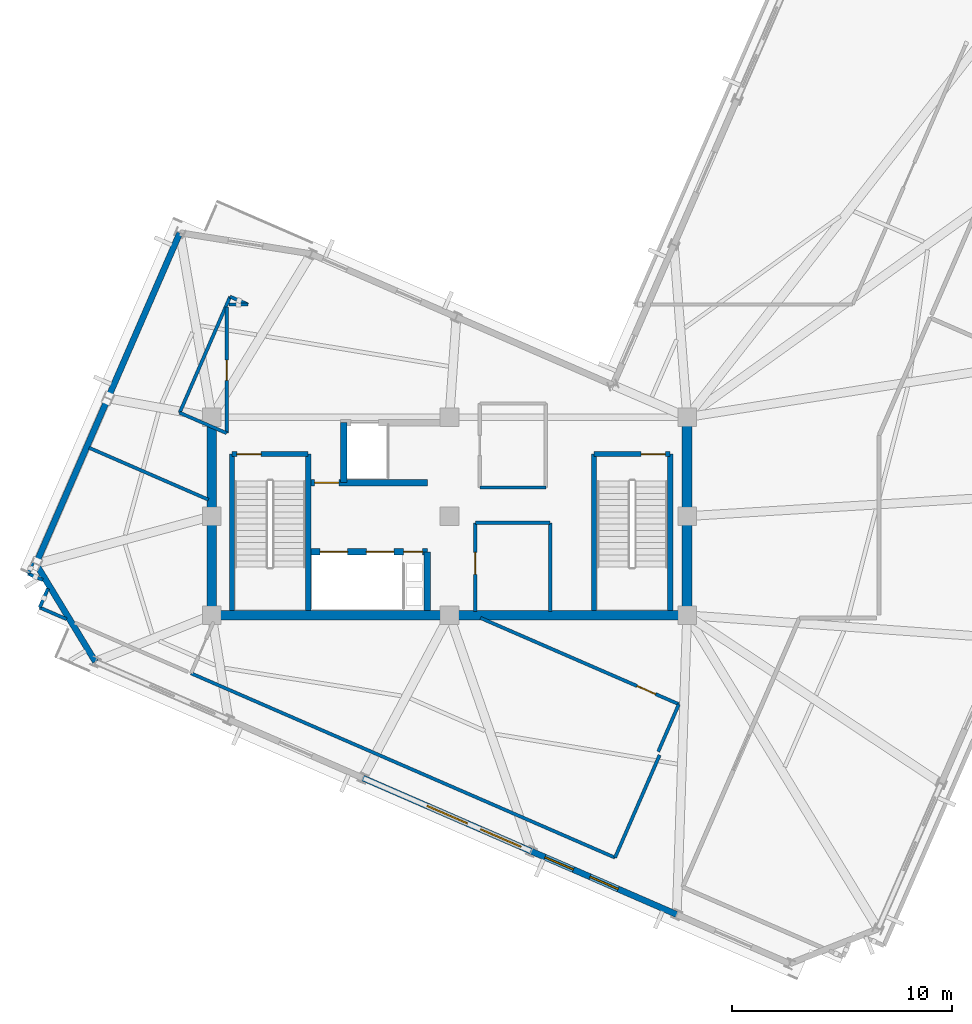
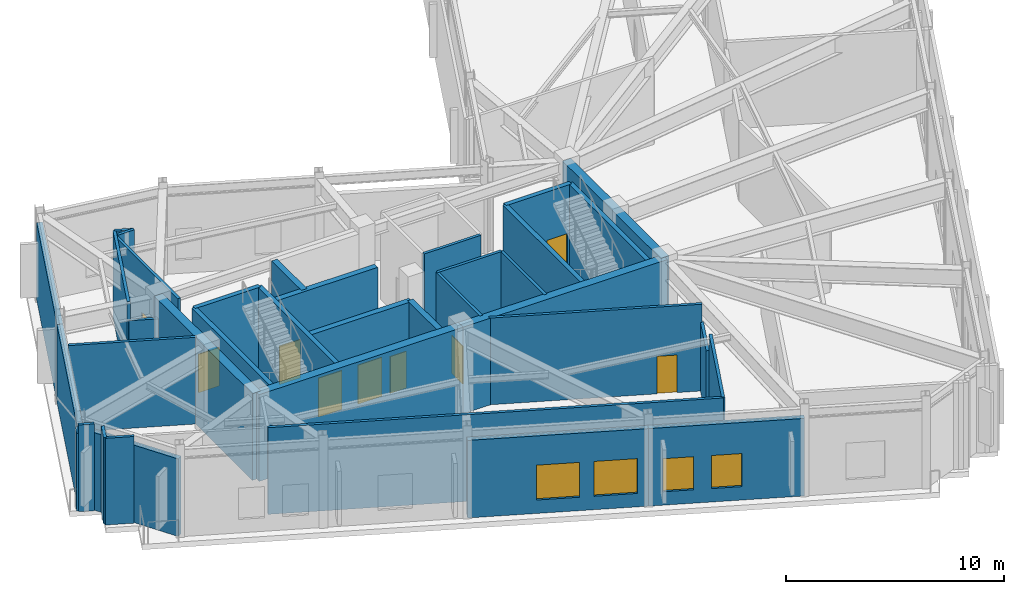
# One storey, part 6 of 12: 37 walls, 9 doors, 4 windows, 13 openings.
"""IFC4 building model written with IfcOpenShell, lengths in metres."""

from ifc_helpers import new_model, si_unit, direction, frame, frame_2d, origin, place, context, subcontext, project, spatial, rectangle, extrude, material, layer, layer_set, type_object, element, fill, save


model = new_model("IFC4")

# Units and contexts
model_context = context("Model", 3, precision=1e-05, world=origin(), true_north=direction((0.0, 1.0)))
body_context = subcontext(model_context, "Body", "Model", "MODEL_VIEW")
ifc_project = project(units=[si_unit("LENGTHUNIT", "METRE"), si_unit("AREAUNIT", "SQUARE_METRE"), si_unit("VOLUMEUNIT", "CUBIC_METRE"), si_unit("PLANEANGLEUNIT", "RADIAN"), si_unit("MASSUNIT", "GRAM", prefix="KILO")], contexts=[model_context])

# Site, building, storey
site_placement = place(None, origin())
site = spatial("IfcSite", under=ifc_project, at=site_placement, CompositionType="ELEMENT")
building_placement = place(site_placement, origin())
building = spatial("IfcBuilding", under=site, at=building_placement, Name="Gaonmaruhae Medical Tower", CompositionType="ELEMENT")
storey_placement = place(building_placement, frame((0.0, 0.0, 342.60009765625)))
storey = spatial("IfcBuildingStorey", under=building, at=storey_placement, Name="L82", CompositionType="ELEMENT", Elevation=342.60009765625)

# Walls
ifc_material_1 = material(Name="Concrete C50/60", Category="concrete")
ifc_layer_1 = layer(ifc_material_1, 0.449951171875)
ifc_layer_set_1 = layer_set([ifc_layer_1], Name="Concrete C50/60")
wall_type_1 = type_object("IfcWallType", Name="CW-450 Upper Core Shear Wall", PredefinedType="SHEAR", material=ifc_layer_set_1)
for number, where, z_axis, x_axis, name in (
    (1, (14.0, 7.800048828125, 0.0), (0.0, 0.0, 1.0), (1.0, 0.0, 0.0), "L82 Core Shear Wall CSW-S1"),
    (2, (24.800048828125, 7.800048828125, 0.0), (0.0, 0.0, 1.0), (1.0, 0.0, 0.0), "L82 Core Shear Wall CSW-S2"),
):
    element("IfcWall", number, at=place(storey_placement, frame(where, z_axis=z_axis, x_axis=x_axis)), inside=storey, type_object=wall_type_1, Name=name, PredefinedType="SHEAR", context=body_context, shape_type="SweptSolid", body=[
        extrude(rectangle(XDim=10.800048828125, YDim=0.449951171875, at=frame_2d((5.39990234375, 0.0))), origin(), (0.0, 0.0, 1.0), 4.849853515625),
    ])
for number, where, z_axis, x_axis, name in (
    (3, (35.60009765625, 7.800048828125, 0.0), (0.0, 0.0, 1.0), (0.0, 1.0, 0.0), "L82 Core Shear Wall CSW-E1"),
    (4, (14.0, 16.800048828125, 0.0), (0.0, 0.0, 1.0), (0.0, -1.0, 0.0), "L82 Core Shear Wall CSW-W1"),
):
    element("IfcWall", number, at=place(storey_placement, frame(where, z_axis=z_axis, x_axis=x_axis)), inside=storey, type_object=wall_type_1, Name=name, PredefinedType="SHEAR", context=body_context, shape_type="SweptSolid", body=[
        extrude(rectangle(XDim=9.0, YDim=0.449951171875, at=frame_2d((4.5, 0.0))), origin(), (0.0, 0.0, 1.0), 4.849853515625),
    ])
ifc_material_2 = material(Name="Precast concrete C45/55", Category="concrete")
ifc_layer_2 = layer(ifc_material_2, 0.280029296875)
ifc_layer_set_2 = layer_set([ifc_layer_2], Name="Precast concrete C45/55")
wall_type_2 = type_object("IfcWallType", Name="EW-280 Upper Precast Masonry-Frame Facade Wall", PredefinedType="SOLIDWALL", material=ifc_layer_set_2)
wall_1_placement = place(storey_placement, frame((9.283447265625, 17.6533203125, 0.0), z_axis=(0.0, 0.0, 1.0), x_axis=(0.398746796056, 0.917061062653, 0.0)))
element("IfcWall", 5, at=wall_1_placement, inside=storey, type_object=wall_type_2, Name="L82 Precast Masonry-Frame Wall N01-N02", PredefinedType="SOLIDWALL", context=body_context, shape_type="SweptSolid", body=[
    extrude(rectangle(XDim=8.2001953125, YDim=0.280029296875, at=frame_2d((4.10009765625, 0.0))), origin(), (0.0, 0.0, 1.0), 4.3349609375),
])
wall_2_placement = place(storey_placement, frame((6.013916015625, 10.133544921875, 0.0), z_axis=(0.0, 0.0, 1.0), x_axis=(0.398732643684, 0.917067216108, 0.0)))
element("IfcWall", 6, at=wall_2_placement, inside=storey, type_object=wall_type_2, Name="L82 Precast Masonry-Frame Wall N02-N03", PredefinedType="SOLIDWALL", context=body_context, shape_type="SweptSolid", body=[
    extrude(rectangle(XDim=8.19970703125, YDim=0.280029296875, at=frame_2d((4.099853515625, 0.0))), origin(), (0.0, 0.0, 1.0), 4.3349609375),
])
wall_3_placement = place(storey_placement, frame((8.715087890625, 5.687744140625, 0.0), z_axis=(0.0, 0.0, 1.0), x_axis=(-0.519249986957, 0.854622402611, 0.0)))
element("IfcWall", 7, at=wall_3_placement, inside=storey, type_object=wall_type_2, Name="L82 Precast Masonry-Frame Wall N03-W01", PredefinedType="SOLIDWALL", context=body_context, shape_type="SweptSolid", body=[
    extrude(rectangle(XDim=5.2021484375, YDim=0.280029296875, at=frame_2d((2.60107421875, 0.0))), origin(), (0.0, 0.0, 1.0), 4.3349609375),
])

# Wall, openings, windows
wall_4_placement = place(storey_placement, frame((28.5234375, -2.92529296875, 0.0), z_axis=(0.0, 0.0, 1.0), x_axis=(-0.917054250629, 0.39876246238, 0.0)))
wall_4 = element("IfcWall", 8, at=wall_4_placement, inside=storey, type_object=wall_type_2, Name="L82 Precast Masonry-Frame Wall W03-W04", PredefinedType="SOLIDWALL", context=body_context, shape_type="SweptSolid", body=[
    extrude(rectangle(XDim=8.349853515625, YDim=0.280029296875, at=frame_2d((4.1748046875, 0.0))), origin(), (0.0, 0.0, 1.0), 4.3349609375),
])
opening_1_placement = place(wall_4_placement, frame((3.175048828125, 0.0, 0.75)))
opening_1 = element("IfcOpeningElement", 9, at=opening_1_placement, cuts=wall_4, Name="Opening WN-02", PredefinedType="OPENING", context=body_context, shape_type="SweptSolid", body=[
    extrude(rectangle(XDim=2.0, YDim=1.949951171875, at=frame_2d((1.0, 0.97509765625))), frame((0.0, 0.14990234375, 0.0), z_axis=(0.0, -1.0, 0.0), x_axis=(1.0, 0.0, 0.0)), (0.0, 0.0, 1.0), 0.300048828125),
])
opening_2_placement = place(wall_4_placement, frame((0.51513671875, 0.0, 0.75)))
opening_2 = element("IfcOpeningElement", 10, at=opening_2_placement, cuts=wall_4, Name="Opening WN-02", PredefinedType="OPENING", context=body_context, shape_type="SweptSolid", body=[
    extrude(rectangle(XDim=2.0, YDim=1.949951171875, at=frame_2d((1.0, 0.97509765625))), frame((0.0, 0.14990234375, 0.0), z_axis=(0.0, -1.0, 0.0), x_axis=(1.0, 0.0, 0.0)), (0.0, 0.0, 1.0), 0.300048828125),
])
ifc_material_3 = material(Name="Anodised aluminium and Low-E double glazing", Category="aluminium")
window_type_1 = type_object("IfcWindowType", Name="WN-02 Double-Bed Ward Punched Window 2000x1950", PartitioningType="SINGLE_PANEL", PredefinedType="WINDOW", material=ifc_material_3)
window_1_placement = place(opening_1_placement, origin())
window_1 = element("IfcWindow", 11, at=window_1_placement, inside=storey, type_object=window_type_1, Name="L82 Modular Facade Window W03", OverallHeight=1.949951171875, OverallWidth=2.0, PartitioningType="SINGLE_PANEL", PredefinedType="WINDOW", context=body_context, shape_type="SweptSolid", body=[
    extrude(rectangle(XDim=2.0, YDim=1.949951171875, at=frame_2d((1.0, 0.97509765625))), frame((0.0, 0.030029296875, 0.0), z_axis=(0.0, -1.0, 0.0), x_axis=(1.0, 0.0, 0.0)), (0.0, 0.0, 1.0), 0.06005859375),
])
fill(opening_1, window_1)
window_2_placement = place(opening_2_placement, origin())
window_2 = element("IfcWindow", 12, at=window_2_placement, inside=storey, type_object=window_type_1, Name="L82 Modular Facade Window W03B", OverallHeight=1.949951171875, OverallWidth=2.0, PartitioningType="SINGLE_PANEL", PredefinedType="WINDOW", context=body_context, shape_type="SweptSolid", body=[
    extrude(rectangle(XDim=2.0, YDim=1.949951171875, at=frame_2d((1.0, 0.97509765625))), frame((0.0, 0.030029296875, 0.0), z_axis=(0.0, -1.0, 0.0), x_axis=(1.0, 0.0, 0.0)), (0.0, 0.0, 1.0), 0.06005859375),
])
fill(opening_2, window_2)

wall_5_placement = place(storey_placement, frame((35.12646484375, -5.79638671875, 0.0), z_axis=(0.0, 0.0, 1.0), x_axis=(-0.917059274554, 0.398750908406, 0.0)))
wall_5 = element("IfcWall", 13, at=wall_5_placement, inside=storey, type_object=wall_type_2, Name="L82 Precast Masonry-Frame Wall W04-W05", PredefinedType="SOLIDWALL", context=body_context, shape_type="SweptSolid", body=[
    extrude(rectangle(XDim=7.2001953125, YDim=0.280029296875, at=frame_2d((3.60009765625, 0.0))), origin(), (0.0, 0.0, 1.0), 4.3349609375),
])
opening_3_placement = place(wall_5_placement, frame((2.89990234375, 0.0, 0.75)))
opening_3 = element("IfcOpeningElement", 14, at=opening_3_placement, cuts=wall_5, Name="Opening WN-03", PredefinedType="OPENING", context=body_context, shape_type="SweptSolid", body=[
    extrude(rectangle(XDim=1.39990234375, YDim=1.85009765625, at=frame_2d((0.699951171875, 0.925048828125))), frame((0.0, 0.14990234375, 0.0), z_axis=(0.0, -1.0, 0.0), x_axis=(1.0, 0.0, 0.0)), (0.0, 0.0, 1.0), 0.300048828125),
])
opening_4_placement = place(wall_5_placement, frame((5.122314453125, 0.0, 0.75)))
opening_4 = element("IfcOpeningElement", 15, at=opening_4_placement, cuts=wall_5, Name="Opening WN-03", PredefinedType="OPENING", context=body_context, shape_type="SweptSolid", body=[
    extrude(rectangle(XDim=1.39990234375, YDim=1.85009765625, at=frame_2d((0.699951171875, 0.925048828125))), frame((0.0, 0.14990234375, 0.0), z_axis=(0.0, -1.0, 0.0), x_axis=(1.0, 0.0, 0.0)), (0.0, 0.0, 1.0), 0.300048828125),
])
window_type_2 = type_object("IfcWindowType", Name="WN-03 Isolation Ward Punched Window 1400x1850", PartitioningType="SINGLE_PANEL", PredefinedType="WINDOW", material=ifc_material_3)
window_3_placement = place(opening_3_placement, origin())
window_3 = element("IfcWindow", 16, at=window_3_placement, inside=storey, type_object=window_type_2, Name="L82 Modular Facade Window W04", OverallHeight=1.85009765625, OverallWidth=1.39990234375, PartitioningType="SINGLE_PANEL", PredefinedType="WINDOW", context=body_context, shape_type="SweptSolid", body=[
    extrude(rectangle(XDim=1.39990234375, YDim=1.85009765625, at=frame_2d((0.699951171875, 0.925048828125))), frame((0.0, 0.030029296875, 0.0), z_axis=(0.0, -1.0, 0.0), x_axis=(1.0, 0.0, 0.0)), (0.0, 0.0, 1.0), 0.06005859375),
])
fill(opening_3, window_3)
window_4_placement = place(opening_4_placement, origin())
window_4 = element("IfcWindow", 17, at=window_4_placement, inside=storey, type_object=window_type_2, Name="L82 Modular Facade Window W04B", OverallHeight=1.85009765625, OverallWidth=1.39990234375, PartitioningType="SINGLE_PANEL", PredefinedType="WINDOW", context=body_context, shape_type="SweptSolid", body=[
    extrude(rectangle(XDim=1.39990234375, YDim=1.85009765625, at=frame_2d((0.699951171875, 0.925048828125))), frame((0.0, 0.030029296875, 0.0), z_axis=(0.0, -1.0, 0.0), x_axis=(1.0, 0.0, 0.0)), (0.0, 0.0, 1.0), 0.06005859375),
])
fill(opening_4, window_4)

# Wall, opening, door
ifc_material_4 = material(Name="Gypsum board partition", Category="gypsum")
ifc_layer_3 = layer(ifc_material_4, 0.14990234375)
ifc_layer_set_3 = layer_set([ifc_layer_3], Name="Gypsum board partition")
wall_type_3 = type_object("IfcWallType", Name="PW-150 Rated Clinical Corridor Partition", PredefinedType="PARTITIONING", material=ifc_layer_set_3)
wall_6_placement = place(storey_placement, frame((25.97998046875, 7.9599609375, 0.0), z_axis=(0.0, 0.0, 1.0), x_axis=(0.0, 1.0, 0.0)))
wall_6 = element("IfcWall", 18, at=wall_6_placement, inside=storey, type_object=wall_type_3, Name="L82 Interior Partition L82-RCL1-1", PredefinedType="PARTITIONING", context=body_context, shape_type="SweptSolid", body=[
    extrude(rectangle(XDim=4.0400390625, YDim=0.14990234375, at=frame_2d((2.02001953125, 0.0))), origin(), (0.0, 0.0, 1.0), 4.849853515625),
])
opening_5_placement = place(wall_6_placement, frame((1.695068359375, 0.0, 0.0)))
opening_5 = element("IfcOpeningElement", 19, at=opening_5_placement, cuts=wall_6, Name="Opening CD-01", PredefinedType="OPENING", context=body_context, shape_type="SweptSolid", body=[
    extrude(rectangle(XDim=1.0, YDim=2.1201171875, at=frame_2d((0.5, 1.06005859375))), frame((0.0, 0.0849609375, 0.0), z_axis=(0.0, -1.0, 0.0), x_axis=(1.0, 0.0, 0.0)), (0.0, 0.0, 1.0), 0.169921875),
])
ifc_material_5 = material(Name="Antimicrobial laminate timber fire door", Category="wood")
door_type_1 = type_object("IfcDoorType", Name="CD-01 Consultation & Physician Office Door 1000x2120", OperationType="NOTDEFINED", PredefinedType="DOOR", material=ifc_material_5)
door_1_placement = place(opening_5_placement, origin())
door_1 = element("IfcDoor", 20, at=door_1_placement, inside=storey, type_object=door_type_1, Name="L82 Clinical Telemetry and Medication Room Door", OperationType="SINGLE_SWING_RIGHT", OverallHeight=2.1201171875, OverallWidth=1.0, PredefinedType="DOOR", context=body_context, shape_type="SweptSolid", body=[
    extrude(rectangle(XDim=1.0, YDim=2.1201171875, at=frame_2d((0.5, 1.06005859375))), frame((0.0, 0.02490234375, 0.0), z_axis=(0.0, -1.0, 0.0), x_axis=(1.0, 0.0, 0.0)), (0.0, 0.0, 1.0), 0.050048828125),
])
fill(opening_5, door_1)

# Walls
wall_7_placement = place(storey_placement, frame((25.97998046875, 12.0, 0.0), z_axis=(0.0, 0.0, 1.0), x_axis=(1.0, 0.0, 0.0)))
element("IfcWall", 21, at=wall_7_placement, inside=storey, type_object=wall_type_3, Name="L82 Interior Partition L82-RCL1-2", PredefinedType="PARTITIONING", context=body_context, shape_type="SweptSolid", body=[
    extrude(rectangle(XDim=3.39990234375, YDim=0.14990234375, at=frame_2d((1.699951171875, 0.0))), origin(), (0.0, 0.0, 1.0), 4.849853515625),
])
wall_8_placement = place(storey_placement, frame((29.3798828125, 12.0, 0.0), z_axis=(0.0, 0.0, 1.0), x_axis=(0.0, -1.0, 0.0)))
element("IfcWall", 22, at=wall_8_placement, inside=storey, type_object=wall_type_3, Name="L82 Interior Partition L82-RCL1-3", PredefinedType="PARTITIONING", context=body_context, shape_type="SweptSolid", body=[
    extrude(rectangle(XDim=4.0400390625, YDim=0.14990234375, at=frame_2d((2.02001953125, 0.0))), origin(), (0.0, 0.0, 1.0), 4.849853515625),
])
wall_9_placement = place(storey_placement, frame((29.179931640625, 13.60009765625, 0.0), z_axis=(0.0, 0.0, 1.0), x_axis=(-1.0, 0.0, 0.0)))
element("IfcWall", 23, at=wall_9_placement, inside=storey, type_object=wall_type_3, Name="L82 Interior Partition L82-RCL2-7", PredefinedType="PARTITIONING", context=body_context, shape_type="SweptSolid", body=[
    extrude(rectangle(XDim=3.0, YDim=0.14990234375, at=frame_2d((1.5, 0.0))), origin(), (0.0, 0.0, 1.0), 4.849853515625),
])
wall_10_placement = place(storey_placement, frame((35.22412109375, 3.757080078125, 0.0), z_axis=(0.0, 0.0, 1.0), x_axis=(-0.398741307155, -0.91706344926, 0.0)))
element("IfcWall", 24, at=wall_10_placement, inside=storey, type_object=wall_type_3, Name="L82 Interior Partition L82-EQP-34", PredefinedType="PARTITIONING", context=body_context, shape_type="SweptSolid", body=[
    extrude(rectangle(XDim=2.349853515625, YDim=0.14990234375, at=frame_2d((1.1748046875, 0.0))), origin(), (0.0, 0.0, 1.0), 3.8349609375),
])
wall_11_placement = place(storey_placement, frame((34.34912109375, 1.444091796875, 0.0), z_axis=(0.0, 0.0, 1.0), x_axis=(-0.39886142776, -0.917011211189, 0.0)))
element("IfcWall", 25, at=wall_11_placement, inside=storey, type_object=wall_type_3, Name="L82 Interior Partition L82-EQP-35", PredefinedType="PARTITIONING", context=body_context, shape_type="SweptSolid", body=[
    extrude(rectangle(XDim=5.079833984375, YDim=0.14990234375, at=frame_2d((2.5400390625, 0.0))), origin(), (0.0, 0.0, 1.0), 4.849853515625),
])
wall_12_placement = place(storey_placement, frame((32.322998046875, -3.214111328125, 0.0), z_axis=(0.0, 0.0, 1.0), x_axis=(-0.917070425919, 0.398725261182, 0.0)))
element("IfcWall", 26, at=wall_12_placement, inside=storey, type_object=wall_type_3, Name="L82 Interior Partition L82-EQP-36", PredefinedType="PARTITIONING", context=body_context, shape_type="SweptSolid", body=[
    extrude(rectangle(XDim=20.99951171875, YDim=0.14990234375, at=frame_2d((10.499755859375, 0.0))), origin(), (0.0, 0.0, 1.0), 4.849853515625),
])

# Wall, opening, door
wall_13_placement = place(storey_placement, frame((26.214111328125, 7.675048828125, 0.0), z_axis=(0.0, 0.0, 1.0), x_axis=(0.91704872202, -0.398775176561, 0.0)))
wall_13 = element("IfcWall", 27, at=wall_13_placement, inside=storey, type_object=wall_type_3, Name="L82 Interior Partition L82-EQP-38", PredefinedType="PARTITIONING", context=body_context, shape_type="SweptSolid", body=[
    extrude(rectangle(XDim=9.824951171875, YDim=0.14990234375, at=frame_2d((4.91259765625, 0.0))), origin(), (0.0, 0.0, 1.0), 4.849853515625),
])
opening_6_placement = place(wall_13_placement, frame((7.751953125, 0.0, 0.0)))
opening_6 = element("IfcOpeningElement", 28, at=opening_6_placement, cuts=wall_13, Name="Opening UD-01", PredefinedType="OPENING", context=body_context, shape_type="SweptSolid", body=[
    extrude(rectangle(XDim=0.919921875, YDim=2.10009765625, at=frame_2d((0.4599609375, 1.050048828125))), frame((0.0, 0.0849609375, 0.0), z_axis=(0.0, -1.0, 0.0), x_axis=(1.0, 0.0, 0.0)), (0.0, 0.0, 1.0), 0.169921875),
])
ifc_material_6 = material(Name="Powder-coated steel utility door", Category="steel")
door_type_2 = type_object("IfcDoorType", Name="UD-01 Toilet, Utility & Housekeeping Door 920x2100", OperationType="NOTDEFINED", PredefinedType="DOOR", material=ifc_material_6)
door_2_placement = place(opening_6_placement, origin())
door_2 = element("IfcDoor", 29, at=door_2_placement, inside=storey, type_object=door_type_2, Name="L82 Aeromedical Stretcher and Oxygen Store Door", OperationType="SINGLE_SWING_LEFT", OverallHeight=2.10009765625, OverallWidth=0.919921875, PredefinedType="DOOR", context=body_context, shape_type="SweptSolid", body=[
    extrude(rectangle(XDim=0.919921875, YDim=2.10009765625, at=frame_2d((0.4599609375, 1.050048828125))), frame((0.0, 0.02490234375, 0.0), z_axis=(0.0, -1.0, 0.0), x_axis=(1.0, 0.0, 0.0)), (0.0, 0.0, 1.0), 0.050048828125),
])
fill(opening_6, door_2)

# Walls
wall_14_placement = place(storey_placement, frame((5.656982421875, 9.68896484375, 0.0), z_axis=(0.0, 0.0, 1.0), x_axis=(0.398417502459, 0.917204172327, 0.0)))
element("IfcWall", 30, at=wall_14_placement, inside=storey, type_object=wall_type_3, Name="L82 Interior Partition L82-HSK-39", PredefinedType="PARTITIONING", context=body_context, shape_type="SweptSolid", body=[
    extrude(rectangle(XDim=0.549560546875, YDim=0.14990234375, at=frame_2d((0.27490234375, 0.0))), origin(), (0.0, 0.0, 1.0), 4.3349609375),
])
wall_15_placement = place(storey_placement, frame((8.431884765625, 15.406005859375, 0.0), z_axis=(0.0, 0.0, 1.0), x_axis=(0.917075309006, -0.398714029865, 0.0)))
element("IfcWall", 31, at=wall_15_placement, inside=storey, type_object=wall_type_3, Name="L82 Interior Partition L82-HSK-40", PredefinedType="PARTITIONING", context=body_context, shape_type="SweptSolid", body=[
    extrude(rectangle(XDim=5.911376953125, YDim=0.14990234375, at=frame_2d((2.95556640625, 0.0))), origin(), (0.0, 0.0, 1.0), 4.849853515625),
])
wall_16_placement = place(storey_placement, frame((7.406982421875, 7.6201171875, 0.0), z_axis=(0.0, 0.0, 1.0), x_axis=(-0.917245063995, 0.398323351785, 0.0)))
element("IfcWall", 32, at=wall_16_placement, inside=storey, type_object=wall_type_3, Name="L82 Interior Partition L82-HSK-42", PredefinedType="PARTITIONING", context=body_context, shape_type="SweptSolid", body=[
    extrude(rectangle(XDim=1.330078125, YDim=0.14990234375, at=frame_2d((0.6650390625, 0.0))), origin(), (0.0, 0.0, 1.0), 4.849853515625),
])
wall_17_placement = place(storey_placement, frame((6.18701171875, 8.14990234375, 0.0), z_axis=(0.0, 0.0, 1.0), x_axis=(0.39965830238, 0.916664192242, 0.0)))
element("IfcWall", 33, at=wall_17_placement, inside=storey, type_object=wall_type_3, Name="L82 Interior Partition L82-HSK-43", PredefinedType="PARTITIONING", context=body_context, shape_type="SweptSolid", body=[
    extrude(rectangle(XDim=0.938232421875, YDim=0.14990234375, at=frame_2d((0.46923828125, 0.0))), origin(), (0.0, 0.0, 1.0), 4.849853515625),
])
wall_18_placement = place(storey_placement, frame((6.325927734375, 9.39794921875, 0.0), z_axis=(0.0, 0.0, 1.0), x_axis=(-0.916984905679, 0.398921900573, 0.0)))
element("IfcWall", 34, at=wall_18_placement, inside=storey, type_object=wall_type_3, Name="L82 Interior Partition L82-HSK-44", PredefinedType="PARTITIONING", context=body_context, shape_type="SweptSolid", body=[
    extrude(rectangle(XDim=0.7294921875, YDim=0.14990234375, at=frame_2d((0.36474609375, 0.0))), origin(), (0.0, 0.0, 1.0), 4.849853515625),
])

# Wall, opening, door
wall_19_placement = place(storey_placement, frame((14.679931640625, 21.800048828125, 0.0), z_axis=(0.0, 0.0, 1.0), x_axis=(0.0, -1.0, 0.0)))
wall_19 = element("IfcWall", 35, at=wall_19_placement, inside=storey, type_object=wall_type_3, Name="L82 Interior Partition L82-AWC-49", PredefinedType="PARTITIONING", context=body_context, shape_type="SweptSolid", body=[
    extrude(rectangle(XDim=5.72998046875, YDim=0.14990234375, at=frame_2d((2.864990234375, 0.0))), origin(), (0.0, 0.0, 1.0), 4.849853515625),
])
opening_7_placement = place(wall_19_placement, frame((2.405029296875, 0.0, 0.0)))
opening_7 = element("IfcOpeningElement", 36, at=opening_7_placement, cuts=wall_19, Name="Opening UD-01", PredefinedType="OPENING", context=body_context, shape_type="SweptSolid", body=[
    extrude(rectangle(XDim=0.919921875, YDim=2.10009765625, at=frame_2d((0.4599609375, 1.050048828125))), frame((0.0, 0.0849609375, 0.0), z_axis=(0.0, -1.0, 0.0), x_axis=(1.0, 0.0, 0.0)), (0.0, 0.0, 1.0), 0.169921875),
])
door_3_placement = place(opening_7_placement, origin())
door_3 = element("IfcDoor", 37, at=door_3_placement, inside=storey, type_object=door_type_2, Name="L82 Standby Crew Accessible Toilet Door", OperationType="SINGLE_SWING_RIGHT", OverallHeight=2.10009765625, OverallWidth=0.919921875, PredefinedType="DOOR", context=body_context, shape_type="SweptSolid", body=[
    extrude(rectangle(XDim=0.919921875, YDim=2.10009765625, at=frame_2d((0.4599609375, 1.050048828125))), frame((0.0, 0.02490234375, 0.0), z_axis=(0.0, -1.0, 0.0), x_axis=(1.0, 0.0, 0.0)), (0.0, 0.0, 1.0), 0.050048828125),
])
fill(opening_7, door_3)

# Walls
wall_20_placement = place(storey_placement, frame((14.679931640625, 16.070068359375, 0.0), z_axis=(0.0, 0.0, 1.0), x_axis=(-0.917095040527, 0.39866864266, 0.0)))
element("IfcWall", 38, at=wall_20_placement, inside=storey, type_object=wall_type_3, Name="L82 Interior Partition L82-AWC-50", PredefinedType="PARTITIONING", context=body_context, shape_type="SweptSolid", body=[
    extrude(rectangle(XDim=2.330078125, YDim=0.14990234375, at=frame_2d((1.1650390625, 0.0))), origin(), (0.0, 0.0, 1.0), 3.8349609375),
])
wall_21_placement = place(storey_placement, frame((12.54296875, 16.9990234375, 0.0), z_axis=(0.0, 0.0, 1.0), x_axis=(0.398719902043, 0.917072755955, 0.0)))
element("IfcWall", 39, at=wall_21_placement, inside=storey, type_object=wall_type_3, Name="L82 Interior Partition L82-AWC-51", PredefinedType="PARTITIONING", context=body_context, shape_type="SweptSolid", body=[
    extrude(rectangle(XDim=5.750732421875, YDim=0.14990234375, at=frame_2d((2.87548828125, 0.0))), origin(), (0.0, 0.0, 1.0), 4.849853515625),
])
wall_22_placement = place(storey_placement, frame((14.8359375, 22.27294921875, 0.0), z_axis=(0.0, 0.0, 1.0), x_axis=(0.916903229522, -0.399109593585, 0.0)))
element("IfcWall", 40, at=wall_22_placement, inside=storey, type_object=wall_type_3, Name="L82 Interior Partition L82-AWC-52", PredefinedType="PARTITIONING", context=body_context, shape_type="SweptSolid", body=[
    extrude(rectangle(XDim=0.884521484375, YDim=0.14990234375, at=frame_2d((0.4423828125, 0.0))), origin(), (0.0, 0.0, 1.0), 4.849853515625),
])
wall_23_placement = place(storey_placement, frame((15.64697265625, 21.919921875, 0.0), z_axis=(0.0, 0.0, 1.0), x_axis=(-0.999999353605, -0.00113700893, 0.0)))
element("IfcWall", 41, at=wall_23_placement, inside=storey, type_object=wall_type_3, Name="L82 Interior Partition L82-AWC-53", PredefinedType="PARTITIONING", context=body_context, shape_type="SweptSolid", body=[
    extrude(rectangle(XDim=0.85888671875, YDim=0.14990234375, at=frame_2d((0.429443359375, 0.0))), origin(), (0.0, 0.0, 1.0), 4.849853515625),
])

# Wall, opening, door
ifc_layer_4 = layer(ifc_material_1, 0.239990234375)
ifc_layer_set_4 = layer_set([ifc_layer_4], Name="Concrete C50/60")
wall_type_4 = type_object("IfcWallType", Name="SW-240 Dogleg Stair Tight Shaft Wall", PredefinedType="SOLIDWALL", material=ifc_layer_set_4)
wall_24_placement = place(storey_placement, frame((14.919921875, 15.1201171875, 0.0), z_axis=(0.0, 0.0, 1.0), x_axis=(1.0, 0.0, 0.0)))
wall_24 = element("IfcWall", 42, at=wall_24_placement, inside=storey, type_object=wall_type_4, Name="L82 ST-01 Stair Shaft Wall SHW-ST-01-N", PredefinedType="SOLIDWALL", context=body_context, shape_type="SweptSolid", body=[
    extrude(rectangle(XDim=3.4599609375, YDim=0.239990234375, at=frame_2d((1.72998046875, 0.0))), origin(), (0.0, 0.0, 1.0), 4.849853515625),
])
opening_8_placement = place(wall_24_placement, frame((0.219970703125, 0.0, 0.0)))
opening_8 = element("IfcOpeningElement", 43, at=opening_8_placement, cuts=wall_24, Name="Opening FD-01", PredefinedType="OPENING", context=body_context, shape_type="SweptSolid", body=[
    extrude(rectangle(XDim=1.10009765625, YDim=2.14990234375, at=frame_2d((0.550048828125, 1.074951171875))), frame((0.0, 0.1298828125, 0.0), z_axis=(0.0, -1.0, 0.0), x_axis=(1.0, 0.0, 0.0)), (0.0, 0.0, 1.0), 0.260009765625),
])
ifc_material_7 = material(Name="Powder-coated steel fire door", Category="steel")
door_type_3 = type_object("IfcDoorType", Name="FD-01 Escape Stair Protected Fire Door 1100x2150", OperationType="NOTDEFINED", PredefinedType="DOOR", material=ifc_material_7)
door_4_placement = place(opening_8_placement, origin())
door_4 = element("IfcDoor", 44, at=door_4_placement, inside=storey, type_object=door_type_3, Name="L82 ST-01 Protected Escape Stair Door", OperationType="SINGLE_SWING_RIGHT", OverallHeight=2.14990234375, OverallWidth=1.10009765625, PredefinedType="DOOR", context=body_context, shape_type="SweptSolid", body=[
    extrude(rectangle(XDim=1.10009765625, YDim=2.14990234375, at=frame_2d((0.550048828125, 1.074951171875))), frame((0.0, 0.02490234375, 0.0), z_axis=(0.0, -1.0, 0.0), x_axis=(1.0, 0.0, 0.0)), (0.0, 0.0, 1.0), 0.050048828125),
])
fill(opening_8, door_4)

# Walls
for number, where, z_axis, x_axis, name in (
    (45, (18.3798828125, 15.1201171875, 0.0), (0.0, 0.0, 1.0), (0.0, -1.0, 0.0), "L82 ST-01 Stair Shaft Wall SHW-ST-01-E"),
    (46, (14.919921875, 8.02490234375, 0.0), (0.0, 0.0, 1.0), (0.0, 1.0, 0.0), "L82 ST-01 Stair Shaft Wall SHW-ST-01-W"),
):
    element("IfcWall", number, at=place(storey_placement, frame(where, z_axis=z_axis, x_axis=x_axis)), inside=storey, type_object=wall_type_4, Name=name, PredefinedType="SOLIDWALL", context=body_context, shape_type="SweptSolid", body=[
        extrude(rectangle(XDim=7.09521484375, YDim=0.239990234375, at=frame_2d((3.547607421875, 0.0))), origin(), (0.0, 0.0, 1.0), 4.849853515625),
    ])

# Wall, opening, door
wall_25_placement = place(storey_placement, frame((31.3701171875, 15.1201171875, 0.0), z_axis=(0.0, 0.0, 1.0), x_axis=(1.0, 0.0, 0.0)))
wall_25 = element("IfcWall", 47, at=wall_25_placement, inside=storey, type_object=wall_type_4, Name="L82 ST-02 Stair Shaft Wall SHW-ST-02-N", PredefinedType="SOLIDWALL", context=body_context, shape_type="SweptSolid", body=[
    extrude(rectangle(XDim=3.4599609375, YDim=0.239990234375, at=frame_2d((1.72998046875, 0.0))), origin(), (0.0, 0.0, 1.0), 4.849853515625),
])
opening_9_placement = place(wall_25_placement, frame((2.139892578125, 0.0, 0.0)))
opening_9 = element("IfcOpeningElement", 48, at=opening_9_placement, cuts=wall_25, Name="Opening FD-01", PredefinedType="OPENING", context=body_context, shape_type="SweptSolid", body=[
    extrude(rectangle(XDim=1.10009765625, YDim=2.14990234375, at=frame_2d((0.550048828125, 1.074951171875))), frame((0.0, 0.1298828125, 0.0), z_axis=(0.0, -1.0, 0.0), x_axis=(1.0, 0.0, 0.0)), (0.0, 0.0, 1.0), 0.260009765625),
])
door_5_placement = place(opening_9_placement, origin())
door_5 = element("IfcDoor", 49, at=door_5_placement, inside=storey, type_object=door_type_3, Name="L82 ST-02 Protected Escape Stair Door", OperationType="SINGLE_SWING_LEFT", OverallHeight=2.14990234375, OverallWidth=1.10009765625, PredefinedType="DOOR", context=body_context, shape_type="SweptSolid", body=[
    extrude(rectangle(XDim=1.10009765625, YDim=2.14990234375, at=frame_2d((0.550048828125, 1.074951171875))), frame((0.0, 0.02490234375, 0.0), z_axis=(0.0, -1.0, 0.0), x_axis=(1.0, 0.0, 0.0)), (0.0, 0.0, 1.0), 0.050048828125),
])
fill(opening_9, door_5)

# Walls
for number, where, z_axis, x_axis, name in (
    (50, (34.830078125, 15.1201171875, 0.0), (0.0, 0.0, 1.0), (0.0, -1.0, 0.0), "L82 ST-02 Stair Shaft Wall SHW-ST-02-E"),
    (51, (31.3701171875, 8.02490234375, 0.0), (0.0, 0.0, 1.0), (0.0, 1.0, 0.0), "L82 ST-02 Stair Shaft Wall SHW-ST-02-W"),
):
    element("IfcWall", number, at=place(storey_placement, frame(where, z_axis=z_axis, x_axis=x_axis)), inside=storey, type_object=wall_type_4, Name=name, PredefinedType="SOLIDWALL", context=body_context, shape_type="SweptSolid", body=[
        extrude(rectangle(XDim=7.09521484375, YDim=0.239990234375, at=frame_2d((3.547607421875, 0.0))), origin(), (0.0, 0.0, 1.0), 4.849853515625),
    ])

# Wall, openings, doors
ifc_layer_5 = layer(ifc_material_1, 0.300048828125)
ifc_layer_set_5 = layer_set([ifc_layer_5], Name="Concrete C50/60")
wall_type_5 = type_object("IfcWallType", Name="SW-300 Stair & Lift Hoistway Shaft Wall", PredefinedType="SOLIDWALL", material=ifc_layer_set_5)
wall_26_placement = place(storey_placement, frame((18.5, 10.679931640625, 0.0), z_axis=(0.0, 0.0, 1.0), x_axis=(1.0, 0.0, 0.0)))
wall_26 = element("IfcWall", 52, at=wall_26_placement, inside=storey, type_object=wall_type_5, Name="L82 Shaft Enclosure Wall SHW-FFN", PredefinedType="SOLIDWALL", context=body_context, shape_type="SweptSolid", body=[
    extrude(rectangle(XDim=5.300048828125, YDim=0.300048828125, at=frame_2d((2.64990234375, 0.0))), origin(), (0.0, 0.0, 1.0), 4.849853515625),
])
opening_10_placement = place(wall_26_placement, frame((4.219970703125, 0.0, 0.0)))
opening_10 = element("IfcOpeningElement", 53, at=opening_10_placement, cuts=wall_26, Name="Opening AD-01", PredefinedType="OPENING", context=body_context, shape_type="SweptSolid", body=[
    extrude(rectangle(XDim=0.860107421875, YDim=2.06005859375, at=frame_2d((0.43017578125, 1.030029296875))), frame((0.0, 0.16015625, 0.0), z_axis=(0.0, -1.0, 0.0), x_axis=(1.0, 0.0, 0.0)), (0.0, 0.0, 1.0), 0.320068359375),
])
opening_11_placement = place(wall_26_placement, frame((0.425048828125, 0.0, 0.0)))
opening_11 = element("IfcOpeningElement", 54, at=opening_11_placement, cuts=wall_26, Name="Opening LD-F1", PredefinedType="OPENING", context=body_context, shape_type="SweptSolid", body=[
    extrude(rectangle(XDim=1.25, YDim=2.179931640625, at=frame_2d((0.625, 1.08984375))), frame((0.0, 0.16015625, 0.0), z_axis=(0.0, -1.0, 0.0), x_axis=(1.0, 0.0, 0.0)), (0.0, 0.0, 1.0), 0.320068359375),
])
opening_12_placement = place(wall_26_placement, frame((2.52490234375, 0.0, 0.0)))
opening_12 = element("IfcOpeningElement", 55, at=opening_12_placement, cuts=wall_26, Name="Opening LD-F1", PredefinedType="OPENING", context=body_context, shape_type="SweptSolid", body=[
    extrude(rectangle(XDim=1.25, YDim=2.179931640625, at=frame_2d((0.625, 1.08984375))), frame((0.0, 0.16015625, 0.0), z_axis=(0.0, -1.0, 0.0), x_axis=(1.0, 0.0, 0.0)), (0.0, 0.0, 1.0), 0.320068359375),
])
ifc_material_8 = material(Name="Powder-coated steel access door", Category="steel")
door_type_4 = type_object("IfcDoorType", Name="AD-01 Riser & Closet Access Fire Door 860x2060", OperationType="NOTDEFINED", PredefinedType="DOOR", material=ifc_material_8)
door_6_placement = place(opening_10_placement, origin())
door_6 = element("IfcDoor", 56, at=door_6_placement, inside=storey, type_object=door_type_4, Name="L82 Medical Gas and MEP Riser Access Door", OperationType="SINGLE_SWING_RIGHT", OverallHeight=2.06005859375, OverallWidth=0.860107421875, PredefinedType="DOOR", context=body_context, shape_type="SweptSolid", body=[
    extrude(rectangle(XDim=0.860107421875, YDim=2.06005859375, at=frame_2d((0.43017578125, 1.030029296875))), frame((0.0, 0.02490234375, 0.0), z_axis=(0.0, -1.0, 0.0), x_axis=(1.0, 0.0, 0.0)), (0.0, 0.0, 1.0), 0.050048828125),
])
fill(opening_10, door_6)
ifc_material_9 = material(Name="Brushed stainless steel 316L landing door", Category="steel")
door_type_5 = type_object("IfcDoorType", Name="LD-F1 Firefighting & Bed Lift Sliding Landing Door 1250x2180", OperationType="NOTDEFINED", PredefinedType="DOOR", material=ifc_material_9)
door_7_placement = place(opening_11_placement, origin())
door_7 = element("IfcDoor", 57, at=door_7_placement, inside=storey, type_object=door_type_5, Name="L82 Firefighting Lift Landing Door FFL-01", OperationType="DOUBLE_DOOR_SLIDING", OverallHeight=2.179931640625, OverallWidth=1.25, PredefinedType="DOOR", context=body_context, shape_type="SweptSolid", body=[
    extrude(rectangle(XDim=1.25, YDim=2.179931640625, at=frame_2d((0.625, 1.08984375))), frame((0.0, 0.02490234375, 0.0), z_axis=(0.0, -1.0, 0.0), x_axis=(1.0, 0.0, 0.0)), (0.0, 0.0, 1.0), 0.050048828125),
])
fill(opening_11, door_7)
door_8_placement = place(opening_12_placement, origin())
door_8 = element("IfcDoor", 58, at=door_8_placement, inside=storey, type_object=door_type_5, Name="L82 Firefighting Lift Landing Door FFL-02", OperationType="DOUBLE_DOOR_SLIDING", OverallHeight=2.179931640625, OverallWidth=1.25, PredefinedType="DOOR", context=body_context, shape_type="SweptSolid", body=[
    extrude(rectangle(XDim=1.25, YDim=2.179931640625, at=frame_2d((0.625, 1.08984375))), frame((0.0, 0.02490234375, 0.0), z_axis=(0.0, -1.0, 0.0), x_axis=(1.0, 0.0, 0.0)), (0.0, 0.0, 1.0), 0.050048828125),
])
fill(opening_12, door_8)

# Wall, opening, door
wall_27_placement = place(storey_placement, frame((18.5, 13.820068359375, 0.0), z_axis=(0.0, 0.0, 1.0), x_axis=(1.0, 0.0, 0.0)))
wall_27 = element("IfcWall", 59, at=wall_27_placement, inside=storey, type_object=wall_type_5, Name="L82 Shaft Enclosure Wall SHW-FFL", PredefinedType="SOLIDWALL", context=body_context, shape_type="SweptSolid", body=[
    extrude(rectangle(XDim=5.300048828125, YDim=0.300048828125, at=frame_2d((2.64990234375, 0.0))), origin(), (0.0, 0.0, 1.0), 4.849853515625),
])
opening_13_placement = place(wall_27_placement, frame((0.179931640625, 0.0, 0.0)))
opening_13 = element("IfcOpeningElement", 60, at=opening_13_placement, cuts=wall_27, Name="Opening FD-01", PredefinedType="OPENING", context=body_context, shape_type="SweptSolid", body=[
    extrude(rectangle(XDim=1.10009765625, YDim=2.14990234375, at=frame_2d((0.550048828125, 1.074951171875))), frame((0.0, 0.16015625, 0.0), z_axis=(0.0, -1.0, 0.0), x_axis=(1.0, 0.0, 0.0)), (0.0, 0.0, 1.0), 0.320068359375),
])
door_9_placement = place(opening_13_placement, origin())
door_9 = element("IfcDoor", 61, at=door_9_placement, inside=storey, type_object=door_type_3, Name="L82 Firefighting Lobby Smoke Door", OperationType="SINGLE_SWING_LEFT", OverallHeight=2.14990234375, OverallWidth=1.10009765625, PredefinedType="DOOR", context=body_context, shape_type="SweptSolid", body=[
    extrude(rectangle(XDim=1.10009765625, YDim=2.14990234375, at=frame_2d((0.550048828125, 1.074951171875))), frame((0.0, 0.02490234375, 0.0), z_axis=(0.0, -1.0, 0.0), x_axis=(1.0, 0.0, 0.0)), (0.0, 0.0, 1.0), 0.050048828125),
])
fill(opening_13, door_9)

# Walls
wall_28_placement = place(storey_placement, frame((23.800048828125, 8.02490234375, 0.0), z_axis=(0.0, 0.0, 1.0), x_axis=(0.0, 1.0, 0.0)))
element("IfcWall", 62, at=wall_28_placement, inside=storey, type_object=wall_type_5, Name="L82 Shaft Enclosure Wall SHW-FFE", PredefinedType="SOLIDWALL", context=body_context, shape_type="SweptSolid", body=[
    extrude(rectangle(XDim=2.655029296875, YDim=0.300048828125, at=frame_2d((1.32763671875, 0.0))), origin(), (0.0, 0.0, 1.0), 4.849853515625),
])
wall_29_placement = place(storey_placement, frame((20.0, 13.820068359375, 0.0), z_axis=(0.0, 0.0, 1.0), x_axis=(0.0, 1.0, 0.0)))
element("IfcWall", 63, at=wall_29_placement, inside=storey, type_object=wall_type_5, Name="L82 Shaft Enclosure Wall SHW-BDW", PredefinedType="SOLIDWALL", context=body_context, shape_type="SweptSolid", body=[
    extrude(rectangle(XDim=2.72998046875, YDim=0.300048828125, at=frame_2d((1.364990234375, 0.0))), origin(), (0.0, 0.0, 1.0), 4.849853515625),
])

save(model, "model.ifc")
